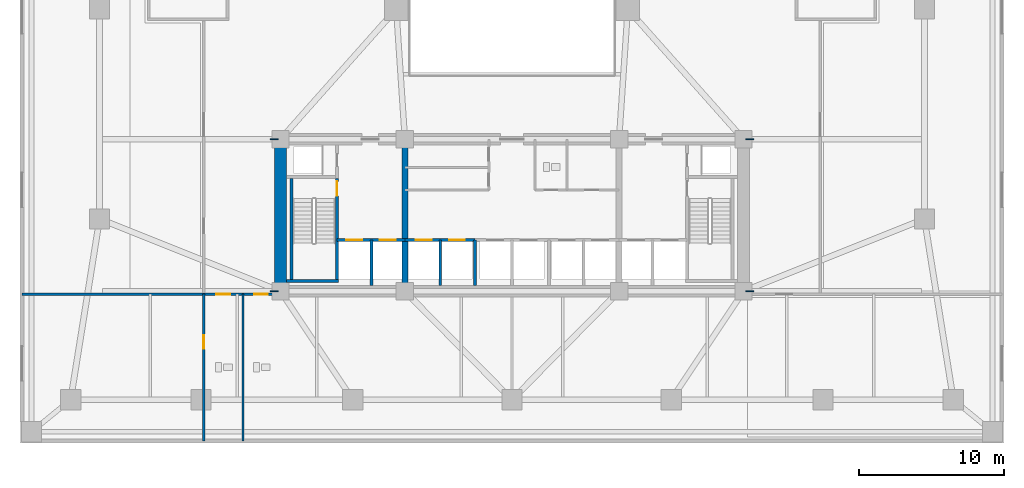
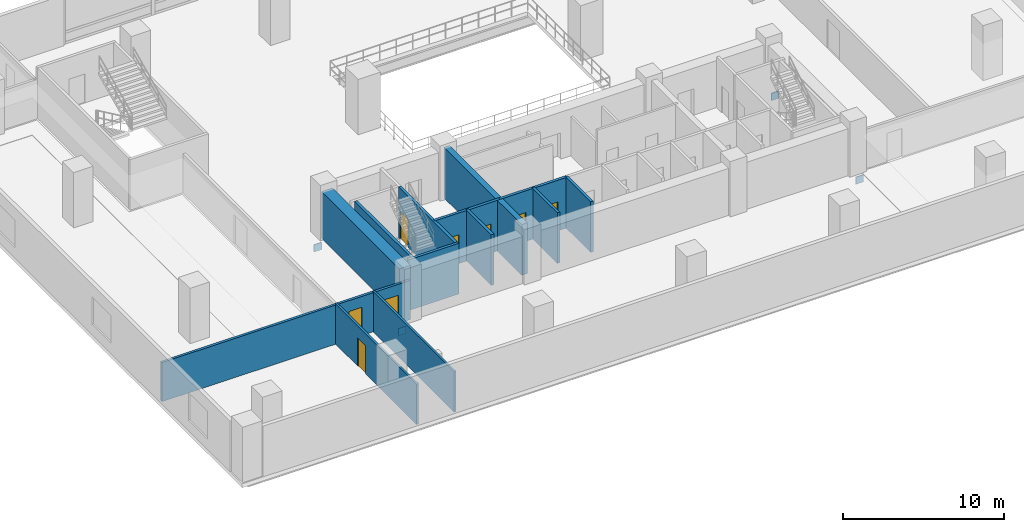
# One storey, part 6 of 15: 13 walls, 8 doors, 4 plates, 8 openings.
"""IFC4 building model written with IfcOpenShell, lengths in metres."""

import ifcopenshell
import ifcopenshell.guid

model = None  # the IFC model being written
_history = None  # IfcOwnerHistory: only IFC2X3 demands one
_inside = {}  # id of a spatial element -> (the spatial element, [elements in it])
_under = {}  # id of a project, library or spatial element -> (it, [spatial elements below it])
_declared = {}  # id of a project -> (the project, [libraries it declares])
_typed = {}  # id of a type object -> (the type object, [elements of that type])
_made_of = {}  # id of a material, layer set ... -> (it, [elements and type objects made of it])


def new_model(schema):
    """Start an empty IFC model of exactly this schema.

    Asked for "IFC4X3", IfcOpenShell would pick the latest addendum, in which some entities
    have other attributes; the version numbers below select the first issue.
    IFC2X3 requires an IfcOwnerHistory on every rooted entity: one is made here for all.
    """
    global model, _history
    if schema == "IFC4X3":
        model = ifcopenshell.file(schema_version=(4, 3, 0, 0))
    else:
        model = ifcopenshell.file(schema=schema)
    _inside.clear()
    _under.clear()
    _declared.clear()
    _typed.clear()
    _made_of.clear()
    _history = None
    if model.schema == "IFC2X3":
        org = make("IfcOrganization", Name="unknown")
        user = make(
            "IfcPersonAndOrganization",
            ThePerson=make("IfcPerson", FamilyName="unknown"),
            TheOrganization=org,
        )
        app = make(
            "IfcApplication",
            ApplicationDeveloper=org,
            Version="unknown",
            ApplicationFullName="unknown",
            ApplicationIdentifier="unknown",
        )
        _history = make(
            "IfcOwnerHistory",
            OwningUser=user,
            OwningApplication=app,
            ChangeAction="ADDED",
            CreationDate=0,
        )
    return model


def make(cls, **values):
    """One entity of the class cls with the attributes given. An attribute that is None is left unset."""
    return model.create_entity(
        cls, **{name: value for name, value in values.items() if value is not None}
    )


def rooted(cls, **values):
    """An entity with a GlobalId (a new one), such as an element, a storey or a relation."""
    return make(cls, GlobalId=ifcopenshell.guid.new(), OwnerHistory=_history, **values)


def si_unit(unit_type, name, prefix=None):
    """IfcSIUnit, for example si_unit("LENGTHUNIT", "METRE", prefix="MILLI")."""
    return make("IfcSIUnit", UnitType=unit_type, Prefix=prefix, Name=name)


def assignment(units):
    """IfcUnitAssignment: the units of a project."""
    return None if units is None else make("IfcUnitAssignment", Units=units)


def point(xyz):
    """IfcCartesianPoint."""
    return None if xyz is None else make("IfcCartesianPoint", Coordinates=xyz)


def direction(xyz):
    """IfcDirection."""
    return None if xyz is None else make("IfcDirection", DirectionRatios=xyz)


def frame(location, z_axis=None, x_axis=None):
    """IfcAxis2Placement3D, a coordinate frame: its origin and axes. An axis left out is left unset."""
    return make(
        "IfcAxis2Placement3D",
        Location=point(location),
        Axis=direction(z_axis),
        RefDirection=direction(x_axis),
    )


def frame_2d(location, x_axis=None):
    """IfcAxis2Placement2D, a coordinate frame in the plane: its origin and x axis."""
    return make(
        "IfcAxis2Placement2D", Location=point(location), RefDirection=direction(x_axis)
    )


def origin():
    """The frame at (0, 0, 0) with its axes left unset."""
    return frame((0.0, 0.0, 0.0))


def origin_2d():
    """The frame at (0, 0) in the plane with its x axis left unset."""
    return frame_2d((0.0, 0.0))


def place(relative_to, where):
    """IfcLocalPlacement: puts the frame where relative to a parent placement (None: the world)."""
    return make(
        "IfcLocalPlacement", PlacementRelTo=relative_to, RelativePlacement=where
    )


def context(
    kind, dimensions, precision=None, world=None, true_north=None, identifier=None
):
    """IfcGeometricRepresentationContext, for example the 3D "Model" context."""
    return make(
        "IfcGeometricRepresentationContext",
        ContextIdentifier=identifier,
        ContextType=kind,
        CoordinateSpaceDimension=dimensions,
        Precision=precision,
        WorldCoordinateSystem=world,
        TrueNorth=true_north,
    )


def subcontext(parent, identifier, kind, view, scale=None):
    """IfcGeometricRepresentationSubContext, for example "Body" below "Model"."""
    return make(
        "IfcGeometricRepresentationSubContext",
        ContextIdentifier=identifier,
        ContextType=kind,
        ParentContext=parent,
        TargetScale=scale,
        TargetView=view,
    )


def project(units=None, contexts=None):
    """IfcProject with its units and contexts."""
    return rooted(
        "IfcProject",
        Name="project",
        RepresentationContexts=contexts,
        UnitsInContext=assignment(units),
    )


def spatial(cls, under=None, at=None, **own):
    """A site, building, storey or space (cls), placed at a placement, below another one or the project."""
    s = rooted(cls, ObjectPlacement=at, **own)
    if under is not None:
        _under.setdefault(under.id(), (under, []))[1].append(s)
    return s


def profile(cls, at=None, kind="AREA", **sizes):
    """A parametric profile (cls). Its sizes go by their IFC names, for example OverallWidth=200.0."""
    return make(cls, ProfileType=kind, Position=at, **sizes)


def rectangle(**sizes):
    """IfcRectangleProfileDef."""
    return profile("IfcRectangleProfileDef", **sizes)


def extrude(swept, where, along, depth):
    """IfcExtrudedAreaSolid: the profile swept, set in the frame where, extruded along a direction by depth."""
    return make(
        "IfcExtrudedAreaSolid",
        SweptArea=swept,
        Position=where,
        ExtrudedDirection=direction(along),
        Depth=depth,
    )


def shape(context_of_items, identifier, shape_type, items):
    """IfcShapeRepresentation: the items that make up one representation, for example the "Body"."""
    return make(
        "IfcShapeRepresentation",
        ContextOfItems=context_of_items,
        RepresentationIdentifier=identifier,
        RepresentationType=shape_type,
        Items=items,
    )


def material(Name=None, Category=None):
    """IfcMaterial."""
    return make("IfcMaterial", Name=Name, Category=Category)


def layer(
    of_material, thickness, ventilated=None, Name=None, Category=None, Priority=None
):
    """IfcMaterialLayer: one layer of a wall or slab, of a material (None: an air gap)."""
    return make(
        "IfcMaterialLayer",
        Material=of_material,
        LayerThickness=thickness,
        IsVentilated=ventilated,
        Name=Name,
        Category=Category,
        Priority=Priority,
    )


def layer_set(layers, Name=None):
    """IfcMaterialLayerSet."""
    return make("IfcMaterialLayerSet", MaterialLayers=layers, LayerSetName=Name)


def made_of(thing, what):
    """Note that an element or type object is made of a material, layer set ...; save() writes the relation."""
    if what is not None:
        _made_of.setdefault(what.id(), (what, []))[1].append(thing)
    return thing


def type_object(cls, material=None, **own):
    """A type object (cls), such as IfcWallType, which elements share."""
    return made_of(rooted(cls, **own), material)


def element(
    cls,
    number,
    at=None,
    inside=None,
    cuts=None,
    type_object=None,
    material=None,
    context=None,
    identifier="Body",
    shape_type=None,
    held_by="IfcProductDefinitionShape",
    body=None,
    shapes=None,
    **own,
):
    """One element of the class cls, such as IfcWall. Its Tag is "e" and its number.

    at: its placement. inside: the storey or other place that contains it. cuts: it is an
    opening in that element (IfcRelVoidsElement). A single representation is given by context,
    identifier, shape_type and body (its items); several are given by shapes. held_by: the class
    of the entity that holds the representations. save() writes the other relations.
    """
    e = rooted(cls, Tag="e%d" % number, ObjectPlacement=at, **own)
    if body is not None:
        shapes = [shape(context, identifier, shape_type, body)]
    if shapes is not None:
        e.Representation = make(held_by, Representations=shapes)
    if inside is not None:
        _inside.setdefault(inside.id(), (inside, []))[1].append(e)
    if cuts is not None:
        rooted(
            "IfcRelVoidsElement", RelatingBuildingElement=cuts, RelatedOpeningElement=e
        )
    if type_object is not None:
        _typed.setdefault(type_object.id(), (type_object, []))[1].append(e)
    return made_of(e, material)


def fill(opening, filler):
    """IfcRelFillsElement: the door or window that sits in an opening."""
    return rooted(
        "IfcRelFillsElement",
        RelatingOpeningElement=opening,
        RelatedBuildingElement=filler,
    )


def aggregate(whole, parts):
    """IfcRelAggregates: a whole, such as a stair, and the parts it consists of."""
    return rooted("IfcRelAggregates", RelatingObject=whole, RelatedObjects=parts)


def save(model, path):
    """Write the relations noted so far, then the file.

    IfcRelAggregates (storeys below a building ...), IfcRelContainedInSpatialStructure (elements
    in a storey), IfcRelDefinesByType, IfcRelAssociatesMaterial and IfcRelDeclares: one each for
    every whole, place, type object, material and project.
    """
    for whole, parts in _under.values():
        aggregate(whole, parts)
    for where, things in _inside.values():
        rooted(
            "IfcRelContainedInSpatialStructure",
            RelatedElements=things,
            RelatingStructure=where,
        )
    for kind, things in _typed.values():
        rooted("IfcRelDefinesByType", RelatedObjects=things, RelatingType=kind)
    for what, things in _made_of.values():
        rooted("IfcRelAssociatesMaterial", RelatedObjects=things, RelatingMaterial=what)
    for by, libraries in _declared.values():
        rooted("IfcRelDeclares", RelatingContext=by, RelatedDefinitions=libraries)
    model.write(path)


model = new_model("IFC4")

# Units and contexts
model_context = context("Model", 3, precision=1e-05, world=origin(), true_north=direction((0.0, 1.0)))
body_context = subcontext(model_context, "Body", "Model", "MODEL_VIEW")
ifc_project = project(units=[si_unit("LENGTHUNIT", "METRE"), si_unit("AREAUNIT", "SQUARE_METRE"), si_unit("VOLUMEUNIT", "CUBIC_METRE"), si_unit("PLANEANGLEUNIT", "RADIAN"), si_unit("MASSUNIT", "GRAM", prefix="KILO")], contexts=[model_context])

# Site, building, storey
site_placement = place(None, origin())
site = spatial("IfcSite", under=ifc_project, at=site_placement, CompositionType="ELEMENT")
building_placement = place(site_placement, origin())
building = spatial("IfcBuilding", under=site, at=building_placement, Name="Solmavex Isthmus Hotel", CompositionType="ELEMENT")
storey_placement = place(building_placement, frame((0.0, 0.0, 16.199951171875)))
storey = spatial("IfcBuildingStorey", under=building, at=storey_placement, Name="L04", CompositionType="ELEMENT", Elevation=16.199951171875)

# Plates
ifc_material_1 = material(Name="Steel ASTM A572 Grade 50", Category="steel")
ifc_layer_1 = layer(ifc_material_1, 0.06005859375)
ifc_layer_set_1 = layer_set([ifc_layer_1], Name="Steel ASTM A572 Grade 50")
plate_type = type_object("IfcPlateType", Name="PLT-EMBED-60", PredefinedType="USERDEFINED", material=ifc_layer_set_1)
for number, where, z_axis, x_axis, name in (
    (1, (-16.43603515625, -2.5, -1.15478515625), (0.0, 0.0, 1.0), (1.0, 0.0, 0.0), "Outrigger Strut Core Cast-In Embedment Stiffener Plate 015"),
    (2, (16.43603515625, -2.5, -1.15478515625), (0.0, 0.0, 1.0), (1.0, 0.0, 0.0), "Outrigger Strut Core Cast-In Embedment Stiffener Plate 016"),
    (3, (-16.43603515625, -13.0, -1.15478515625), (0.0, 0.0, 1.0), (1.0, 0.0, 0.0), "Outrigger Strut Core Cast-In Embedment Stiffener Plate 017"),
    (4, (16.43603515625, -13.0, -1.15478515625), (0.0, 0.0, 1.0), (1.0, 0.0, 0.0), "Outrigger Strut Core Cast-In Embedment Stiffener Plate 018"),
):
    element("IfcPlate", number, at=place(storey_placement, frame(where, z_axis=z_axis, x_axis=x_axis)), inside=storey, type_object=plate_type, Name=name, ObjectType="STIFFENER_PLATE", PredefinedType="USERDEFINED", context=body_context, shape_type="SweptSolid", body=[
        extrude(rectangle(XDim=0.550048828125, YDim=0.06005859375, at=origin_2d()), origin(), (0.0, 0.0, 1.0), 0.550048828125),
    ])

# Wall, opening, door
ifc_material_2 = material(Name="Gypsum plasterboard lining", Category="gypsum")
ifc_layer_2 = layer(ifc_material_2, 0.14990234375)
ifc_layer_set_2 = layer_set([ifc_layer_2], Name="Gypsum plasterboard lining")
wall_type_1 = type_object("IfcWallType", Name="IW-CORR-150", PredefinedType="PARTITIONING", material=ifc_layer_set_2)
wall_1_placement = place(storey_placement, frame((-21.300048828125, -23.360107421875, 0.0), z_axis=(0.0, 0.0, 1.0), x_axis=(0.0, 1.0, 0.0)))
wall_1 = element("IfcWall", 5, at=wall_1_placement, inside=storey, type_object=wall_type_1, Name="Interior Partition Wall W-L04-SOUTH-WM", PredefinedType="PARTITIONING", context=body_context, shape_type="SweptSolid", body=[
    extrude(rectangle(XDim=10.16015625, YDim=0.14990234375, at=frame_2d((5.080078125, 0.0))), origin(), (0.0, 0.0, 1.0), 3.061767578125),
])
opening_1_placement = place(wall_1_placement, frame((6.385009765625, 0.0, 0.0)))
opening_1 = element("IfcOpeningElement", 6, at=opening_1_placement, cuts=wall_1, Name="Opening ID-C095", PredefinedType="OPENING", context=body_context, shape_type="SweptSolid", body=[
    extrude(rectangle(XDim=0.949951171875, YDim=2.14990234375, at=frame_2d((0.47509765625, 1.074951171875))), frame((0.0, 0.0849609375, 0.0), z_axis=(0.0, -1.0, 0.0), x_axis=(1.0, 0.0, 0.0)), (0.0, 0.0, 1.0), 0.169921875),
])
ifc_material_3 = material(Name="Hardwood timber", Category="wood")
door_type_1 = type_object("IfcDoorType", Name="IDR-FD60-0950", OperationType="NOTDEFINED", PredefinedType="DOOR", material=ifc_material_3)
door_1_placement = place(opening_1_placement, origin())
door_1 = element("IfcDoor", 7, at=door_1_placement, inside=storey, type_object=door_type_1, Name="Linen Store Door L04", OperationType="SINGLE_SWING_LEFT", OverallHeight=2.14990234375, OverallWidth=0.949951171875, PredefinedType="DOOR", context=body_context, shape_type="SweptSolid", body=[
    extrude(rectangle(XDim=0.949951171875, YDim=2.14990234375, at=frame_2d((0.47509765625, 1.074951171875))), frame((0.0, 0.02490234375, 0.0), z_axis=(0.0, -1.0, 0.0), x_axis=(1.0, 0.0, 0.0)), (0.0, 0.0, 1.0), 0.050048828125),
])
fill(opening_1, door_1)

# Walls
wall_2_placement = place(storey_placement, frame((-18.60009765625, -23.360107421875, 0.0), z_axis=(0.0, 0.0, 1.0), x_axis=(0.0, 1.0, 0.0)))
element("IfcWall", 8, at=wall_2_placement, inside=storey, type_object=wall_type_1, Name="Interior Partition Wall W-L04-SOUTH-WM2", PredefinedType="PARTITIONING", context=body_context, shape_type="SweptSolid", body=[
    extrude(rectangle(XDim=10.16015625, YDim=0.14990234375, at=frame_2d((5.080078125, 0.0))), origin(), (0.0, 0.0, 1.0), 3.061767578125),
])
ifc_material_4 = material(Name="Concrete C40/50", Category="concrete")
ifc_layer_3 = layer(ifc_material_4, 0.179931640625)
ifc_layer_set_3 = layer_set([ifc_layer_3], Name="Concrete C40/50")
wall_type_2 = type_object("IfcWallType", Name="IW-SHAFT-180", PredefinedType="PARTITIONING", material=ifc_layer_set_3)
wall_3_placement = place(storey_placement, frame((-4.949951171875, -12.60009765625, 0.0), z_axis=(0.0, 0.0, 1.0), x_axis=(0.0, 1.0, 0.0)))
element("IfcWall", 9, at=wall_3_placement, inside=storey, type_object=wall_type_2, Name="Interior Partition Wall W-L04-SH-PLL-M", PredefinedType="PARTITIONING", context=body_context, shape_type="SweptSolid", body=[
    extrude(rectangle(XDim=3.150146484375, YDim=0.179931640625, at=frame_2d((1.5751953125, 0.0))), origin(), (0.0, 0.0, 1.0), 3.85009765625),
])

# Wall, openings, doors
wall_4_placement = place(storey_placement, frame((-33.860107421875, -13.199951171875, 0.0), z_axis=(0.0, 0.0, 1.0), x_axis=(1.0, 0.0, 0.0)))
wall_4 = element("IfcWall", 10, at=wall_4_placement, inside=storey, type_object=wall_type_2, Name="Interior Partition Wall W-L04-SOUTH-W", PredefinedType="PARTITIONING", context=body_context, shape_type="SweptSolid", body=[
    extrude(rectangle(XDim=17.860107421875, YDim=0.179931640625, at=frame_2d((8.93017578125, 0.0))), origin(), (0.0, 0.0, 1.0), 2.9794921875),
])
opening_2_placement = place(wall_4_placement, frame((13.43505859375, 0.0, 0.0)))
opening_2 = element("IfcOpeningElement", 11, at=opening_2_placement, cuts=wall_4, Name="Opening ID-C095", PredefinedType="OPENING", context=body_context, shape_type="SweptSolid", body=[
    extrude(rectangle(XDim=0.949951171875, YDim=2.14990234375, at=frame_2d((0.47509765625, 1.074951171875))), frame((0.0, 0.099853515625, 0.0), z_axis=(0.0, -1.0, 0.0), x_axis=(1.0, 0.0, 0.0)), (0.0, 0.0, 1.0), 0.199951171875),
])
opening_3_placement = place(wall_4_placement, frame((16.034912109375, 0.0, 0.0)))
opening_3 = element("IfcOpeningElement", 12, at=opening_3_placement, cuts=wall_4, Name="Opening ID-C095", PredefinedType="OPENING", context=body_context, shape_type="SweptSolid", body=[
    extrude(rectangle(XDim=0.949951171875, YDim=2.14990234375, at=frame_2d((0.47509765625, 1.074951171875))), frame((0.0, 0.099853515625, 0.0), z_axis=(0.0, -1.0, 0.0), x_axis=(1.0, 0.0, 0.0)), (0.0, 0.0, 1.0), 0.199951171875),
])
door_2_placement = place(opening_2_placement, frame((0.949951171875, 0.0, 0.0), z_axis=(0.0, 0.0, 1.0), x_axis=(-1.0, 0.0, 0.0)))
door_2 = element("IfcDoor", 13, at=door_2_placement, inside=storey, type_object=door_type_1, Name="Restroom Door L04", OperationType="SINGLE_SWING_LEFT", OverallHeight=2.14990234375, OverallWidth=0.949951171875, PredefinedType="DOOR", context=body_context, shape_type="SweptSolid", body=[
    extrude(rectangle(XDim=0.949951171875, YDim=2.14990234375, at=frame_2d((0.47509765625, 1.074951171875))), frame((0.0, 0.02490234375, 0.0), z_axis=(0.0, -1.0, 0.0), x_axis=(1.0, 0.0, 0.0)), (0.0, 0.0, 1.0), 0.050048828125),
])
fill(opening_2, door_2)
door_3_placement = place(opening_3_placement, frame((0.949951171875, 0.0, 0.0), z_axis=(0.0, 0.0, 1.0), x_axis=(-1.0, 0.0, 0.0)))
door_3 = element("IfcDoor", 14, at=door_3_placement, inside=storey, type_object=door_type_1, Name="Accessible WC Door L04", OperationType="SINGLE_SWING_RIGHT", OverallHeight=2.14990234375, OverallWidth=0.949951171875, PredefinedType="DOOR", context=body_context, shape_type="SweptSolid", body=[
    extrude(rectangle(XDim=0.949951171875, YDim=2.14990234375, at=frame_2d((0.47509765625, 1.074951171875))), frame((0.0, 0.02490234375, 0.0), z_axis=(0.0, -1.0, 0.0), x_axis=(1.0, 0.0, 0.0)), (0.0, 0.0, 1.0), 0.050048828125),
])
fill(opening_3, door_3)

ifc_layer_4 = layer(ifc_material_4, 0.199951171875)
ifc_layer_set_4 = layer_set([ifc_layer_4], Name="Concrete C40/50")
wall_type_3 = type_object("IfcWallType", Name="IW-SHAFT-200", PredefinedType="PARTITIONING", material=ifc_layer_set_4)
wall_5_placement = place(storey_placement, frame((-12.10009765625, -9.449951171875, 0.0), z_axis=(0.0, 0.0, 1.0), x_axis=(1.0, 0.0, 0.0)))
wall_5 = element("IfcWall", 15, at=wall_5_placement, inside=storey, type_object=wall_type_3, Name="Interior Partition Wall W-L04-FFLW-S", PredefinedType="PARTITIONING", context=body_context, shape_type="SweptSolid", body=[
    extrude(rectangle(XDim=4.7001953125, YDim=0.199951171875, at=frame_2d((2.35009765625, 0.0))), origin(), (0.0, 0.0, 1.0), 3.85009765625),
])
opening_4_placement = place(wall_5_placement, frame((0.64990234375, 0.0, 0.0)))
opening_4 = element("IfcOpeningElement", 16, at=opening_4_placement, cuts=wall_5, Name="Opening LD-FF", PredefinedType="OPENING", context=body_context, shape_type="SweptSolid", body=[
    extrude(rectangle(XDim=1.10009765625, YDim=2.199951171875, at=frame_2d((0.550048828125, 1.10009765625))), frame((0.0, 0.10986328125, 0.0), z_axis=(0.0, -1.0, 0.0), x_axis=(1.0, 0.0, 0.0)), (0.0, 0.0, 1.0), 0.219970703125),
])
opening_5_placement = place(wall_5_placement, frame((2.949951171875, 0.0, 0.0)))
opening_5 = element("IfcOpeningElement", 17, at=opening_5_placement, cuts=wall_5, Name="Opening LD-SV", PredefinedType="OPENING", context=body_context, shape_type="SweptSolid", body=[
    extrude(rectangle(XDim=1.10009765625, YDim=2.199951171875, at=frame_2d((0.550048828125, 1.10009765625))), frame((0.0, 0.10986328125, 0.0), z_axis=(0.0, -1.0, 0.0), x_axis=(1.0, 0.0, 0.0)), (0.0, 0.0, 1.0), 0.219970703125),
])
ifc_material_5 = material(Name="Stainless steel 316", Category="steel")
door_type_2 = type_object("IfcDoorType", Name="LDR-FF-1100", OperationType="NOTDEFINED", PredefinedType="DOOR", material=ifc_material_5)
door_4_placement = place(opening_4_placement, origin())
door_4 = element("IfcDoor", 18, at=door_4_placement, inside=storey, type_object=door_type_2, Name="Lift Landing Door FFL-1 L04", OperationType="SLIDING_TO_LEFT", OverallHeight=2.199951171875, OverallWidth=1.10009765625, PredefinedType="DOOR", context=body_context, shape_type="SweptSolid", body=[
    extrude(rectangle(XDim=1.10009765625, YDim=2.199951171875, at=frame_2d((0.550048828125, 1.10009765625))), frame((0.0, 0.02490234375, 0.0), z_axis=(0.0, -1.0, 0.0), x_axis=(1.0, 0.0, 0.0)), (0.0, 0.0, 1.0), 0.050048828125),
])
fill(opening_4, door_4)
door_type_3 = type_object("IfcDoorType", Name="LDR-SV-1100", OperationType="NOTDEFINED", PredefinedType="DOOR", material=ifc_material_5)
door_5_placement = place(opening_5_placement, origin())
door_5 = element("IfcDoor", 19, at=door_5_placement, inside=storey, type_object=door_type_3, Name="Lift Landing Door SVL-1 L04", OperationType="SLIDING_TO_RIGHT", OverallHeight=2.199951171875, OverallWidth=1.10009765625, PredefinedType="DOOR", context=body_context, shape_type="SweptSolid", body=[
    extrude(rectangle(XDim=1.10009765625, YDim=2.199951171875, at=frame_2d((0.550048828125, 1.10009765625))), frame((0.0, 0.02490234375, 0.0), z_axis=(0.0, -1.0, 0.0), x_axis=(1.0, 0.0, 0.0)), (0.0, 0.0, 1.0), 0.050048828125),
])
fill(opening_5, door_5)

# Wall
wall_6_placement = place(storey_placement, frame((-9.699951171875, -12.60009765625, 0.0), z_axis=(0.0, 0.0, 1.0), x_axis=(0.0, 1.0, 0.0)))
element("IfcWall", 20, at=wall_6_placement, inside=storey, type_object=wall_type_3, Name="Interior Partition Wall W-L04-FFLW-M", PredefinedType="PARTITIONING", context=body_context, shape_type="SweptSolid", body=[
    extrude(rectangle(XDim=3.150146484375, YDim=0.199951171875, at=frame_2d((1.5751953125, 0.0))), origin(), (0.0, 0.0, 1.0), 3.85009765625),
])

# Wall, openings, doors
wall_7_placement = place(storey_placement, frame((-7.39990234375, -9.449951171875, 0.0), z_axis=(0.0, 0.0, 1.0), x_axis=(1.0, 0.0, 0.0)))
wall_7 = element("IfcWall", 21, at=wall_7_placement, inside=storey, type_object=wall_type_3, Name="Interior Partition Wall W-L04-SH-PLL", PredefinedType="PARTITIONING", context=body_context, shape_type="SweptSolid", body=[
    extrude(rectangle(XDim=4.849853515625, YDim=0.199951171875, at=frame_2d((2.4248046875, 0.0))), origin(), (0.0, 0.0, 1.0), 3.85009765625),
])
opening_6_placement = place(wall_7_placement, frame((0.75, 0.0, 0.0)))
opening_6 = element("IfcOpeningElement", 22, at=opening_6_placement, cuts=wall_7, Name="Opening LD-PL", PredefinedType="OPENING", context=body_context, shape_type="SweptSolid", body=[
    extrude(rectangle(XDim=1.10009765625, YDim=2.199951171875, at=frame_2d((0.550048828125, 1.10009765625))), frame((0.0, 0.10986328125, 0.0), z_axis=(0.0, -1.0, 0.0), x_axis=(1.0, 0.0, 0.0)), (0.0, 0.0, 1.0), 0.219970703125),
])
opening_7_placement = place(wall_7_placement, frame((3.050048828125, 0.0, 0.0)))
opening_7 = element("IfcOpeningElement", 23, at=opening_7_placement, cuts=wall_7, Name="Opening LD-PL", PredefinedType="OPENING", context=body_context, shape_type="SweptSolid", body=[
    extrude(rectangle(XDim=1.10009765625, YDim=2.199951171875, at=frame_2d((0.550048828125, 1.10009765625))), frame((0.0, 0.10986328125, 0.0), z_axis=(0.0, -1.0, 0.0), x_axis=(1.0, 0.0, 0.0)), (0.0, 0.0, 1.0), 0.219970703125),
])
door_type_4 = type_object("IfcDoorType", Name="LDR-PL-1100", OperationType="NOTDEFINED", PredefinedType="DOOR", material=ifc_material_5)
door_6_placement = place(opening_6_placement, origin())
door_6 = element("IfcDoor", 24, at=door_6_placement, inside=storey, type_object=door_type_4, Name="Lift Landing Door PLL1 L04", OperationType="SLIDING_TO_LEFT", OverallHeight=2.199951171875, OverallWidth=1.10009765625, PredefinedType="DOOR", context=body_context, shape_type="SweptSolid", body=[
    extrude(rectangle(XDim=1.10009765625, YDim=2.199951171875, at=frame_2d((0.550048828125, 1.10009765625))), frame((0.0, 0.02490234375, 0.0), z_axis=(0.0, -1.0, 0.0), x_axis=(1.0, 0.0, 0.0)), (0.0, 0.0, 1.0), 0.050048828125),
])
fill(opening_6, door_6)
door_7_placement = place(opening_7_placement, origin())
door_7 = element("IfcDoor", 25, at=door_7_placement, inside=storey, type_object=door_type_4, Name="Lift Landing Door PLL2 L04", OperationType="SLIDING_TO_LEFT", OverallHeight=2.199951171875, OverallWidth=1.10009765625, PredefinedType="DOOR", context=body_context, shape_type="SweptSolid", body=[
    extrude(rectangle(XDim=1.10009765625, YDim=2.199951171875, at=frame_2d((0.550048828125, 1.10009765625))), frame((0.0, 0.02490234375, 0.0), z_axis=(0.0, -1.0, 0.0), x_axis=(1.0, 0.0, 0.0)), (0.0, 0.0, 1.0), 0.050048828125),
])
fill(opening_7, door_7)

# Walls
wall_8_placement = place(storey_placement, frame((-2.550048828125, -12.60009765625, 0.0), z_axis=(0.0, 0.0, 1.0), x_axis=(0.0, 1.0, 0.0)))
element("IfcWall", 26, at=wall_8_placement, inside=storey, type_object=wall_type_3, Name="Interior Partition Wall W-L04-SH-PLL-E", PredefinedType="PARTITIONING", context=body_context, shape_type="SweptSolid", body=[
    extrude(rectangle(XDim=3.150146484375, YDim=0.199951171875, at=frame_2d((1.5751953125, 0.0))), origin(), (0.0, 0.0, 1.0), 3.85009765625),
])
ifc_material_6 = material(Name="Concrete C70/85", Category="concrete")
ifc_layer_5 = layer(ifc_material_6, 0.39990234375)
ifc_layer_set_5 = layer_set([ifc_layer_5], Name="Concrete C70/85")
wall_type_4 = type_object("IfcWallType", Name="WALL-CW-400L", PredefinedType="SHEAR", material=ifc_layer_set_5)
wall_9_placement = place(storey_placement, frame((-7.39990234375, -12.60009765625, 0.0), z_axis=(0.0, 0.0, 1.0), x_axis=(0.0, 1.0, 0.0)))
element("IfcWall", 27, at=wall_9_placement, inside=storey, type_object=wall_type_4, Name="Core Cross Shear Wall C1 L04", PredefinedType="SHEAR", context=body_context, shape_type="SweptSolid", body=[
    extrude(rectangle(XDim=9.7001953125, YDim=0.39990234375, at=frame_2d((4.85009765625, 0.0))), origin(), (0.0, 0.0, 1.0), 3.85009765625),
])
ifc_layer_6 = layer(ifc_material_6, 0.800048828125)
ifc_layer_set_6 = layer_set([ifc_layer_6], Name="Concrete C70/85")
wall_type_5 = type_object("IfcWallType", Name="WALL-CW-800", PredefinedType="SHEAR", material=ifc_layer_set_6)
wall_10_placement = place(storey_placement, frame((-16.0, -12.60009765625, 0.0), z_axis=(0.0, 0.0, 1.0), x_axis=(0.0, 1.0, 0.0)))
element("IfcWall", 28, at=wall_10_placement, inside=storey, type_object=wall_type_5, Name="Core Shear Wall West L04", PredefinedType="SHEAR", context=body_context, shape_type="SweptSolid", body=[
    extrude(rectangle(XDim=9.7001953125, YDim=0.800048828125, at=frame_2d((4.85009765625, 0.0))), origin(), (0.0, 0.0, 1.0), 3.570068359375),
])
ifc_layer_7 = layer(ifc_material_4, 0.199951171875)
ifc_layer_set_7 = layer_set([ifc_layer_7], Name="Concrete C40/50")
wall_type_6 = type_object("IfcWallType", Name="WALL-SW-200", PredefinedType="SOLIDWALL", material=ifc_layer_set_7)
wall_11_placement = place(storey_placement, frame((-15.60009765625, -12.300048828125, 0.0), z_axis=(0.0, 0.0, 1.0), x_axis=(1.0, 0.0, 0.0)))
element("IfcWall", 29, at=wall_11_placement, inside=storey, type_object=wall_type_6, Name="Stairwell Structural Wall SW-L04-ST1-S", PredefinedType="SOLIDWALL", context=body_context, shape_type="SweptSolid", body=[
    extrude(rectangle(XDim=3.60009765625, YDim=0.199951171875, at=frame_2d((1.800048828125, 0.0))), origin(), (0.0, 0.0, 1.0), 3.85009765625),
])
wall_12_placement = place(storey_placement, frame((-15.25, -12.199951171875, 0.0), z_axis=(0.0, 0.0, 1.0), x_axis=(0.0, 1.0, 0.0)))
element("IfcWall", 30, at=wall_12_placement, inside=storey, type_object=wall_type_6, Name="Stairwell Structural Wall SW-L04-ST1-W", PredefinedType="SOLIDWALL", context=body_context, shape_type="SweptSolid", body=[
    extrude(rectangle(XDim=7.0, YDim=0.199951171875, at=frame_2d((3.5, 0.0))), origin(), (0.0, 0.0, 1.0), 3.85009765625),
])

# Wall, opening, door
wall_13_placement = place(storey_placement, frame((-12.10009765625, -12.199951171875, 0.0), z_axis=(0.0, 0.0, 1.0), x_axis=(0.0, 1.0, 0.0)))
wall_13 = element("IfcWall", 31, at=wall_13_placement, inside=storey, type_object=wall_type_6, Name="Stairwell Structural Wall SW-L04-ST1-E", PredefinedType="SOLIDWALL", context=body_context, shape_type="SweptSolid", body=[
    extrude(rectangle(XDim=7.0, YDim=0.199951171875, at=frame_2d((3.5, 0.0))), origin(), (0.0, 0.0, 1.0), 3.85009765625),
])
opening_8_placement = place(wall_13_placement, frame((5.800048828125, 0.0, 0.0)))
opening_8 = element("IfcOpeningElement", 32, at=opening_8_placement, cuts=wall_13, Name="Opening ID-F100", PredefinedType="OPENING", context=body_context, shape_type="SweptSolid", body=[
    extrude(rectangle(XDim=1.0, YDim=2.10009765625, at=frame_2d((0.5, 1.050048828125))), frame((0.0, 0.10986328125, 0.0), z_axis=(0.0, -1.0, 0.0), x_axis=(1.0, 0.0, 0.0)), (0.0, 0.0, 1.0), 0.219970703125),
])
ifc_material_7 = material(Name="Steel ASTM A500 Grade C", Category="steel")
door_type_5 = type_object("IfcDoorType", Name="IDR-FD90-1000", OperationType="NOTDEFINED", PredefinedType="DOOR", material=ifc_material_7)
door_8_placement = place(opening_8_placement, frame((1.0, 0.0, 0.0), z_axis=(0.0, 0.0, 1.0), x_axis=(-1.0, 0.0, 0.0)))
door_8 = element("IfcDoor", 33, at=door_8_placement, inside=storey, type_object=door_type_5, Name="Stair ST-1 Fire Door L04", OperationType="SINGLE_SWING_LEFT", OverallHeight=2.10009765625, OverallWidth=1.0, PredefinedType="DOOR", context=body_context, shape_type="SweptSolid", body=[
    extrude(rectangle(XDim=1.0, YDim=2.10009765625, at=frame_2d((0.5, 1.050048828125))), frame((0.0, 0.02490234375, 0.0), z_axis=(0.0, -1.0, 0.0), x_axis=(1.0, 0.0, 0.0)), (0.0, 0.0, 1.0), 0.050048828125),
])
fill(opening_8, door_8)

save(model, "model.ifc")
